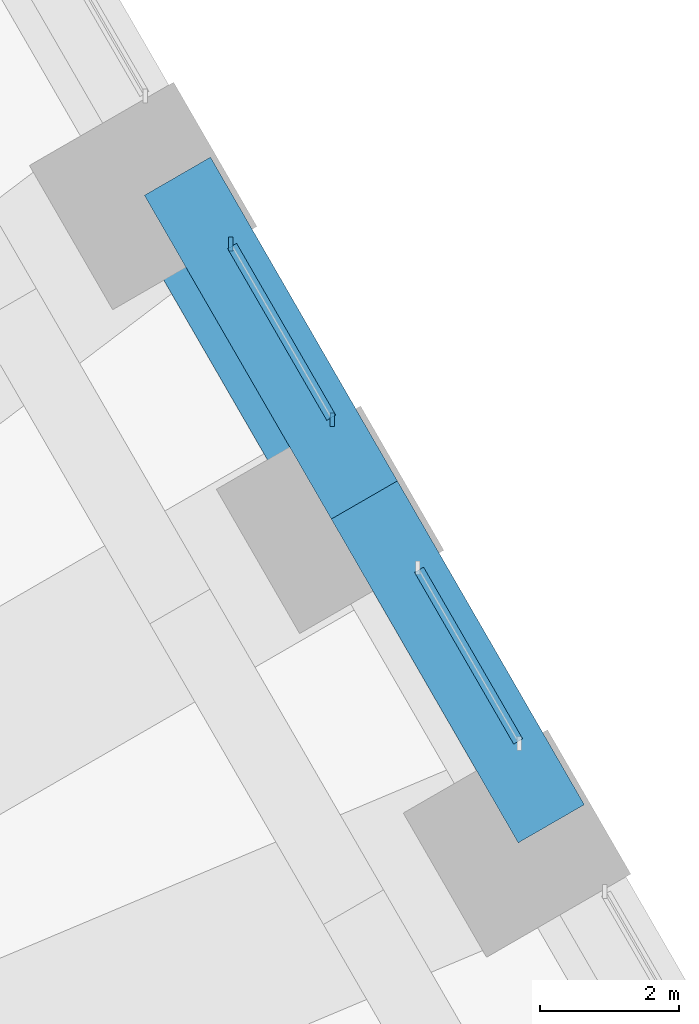
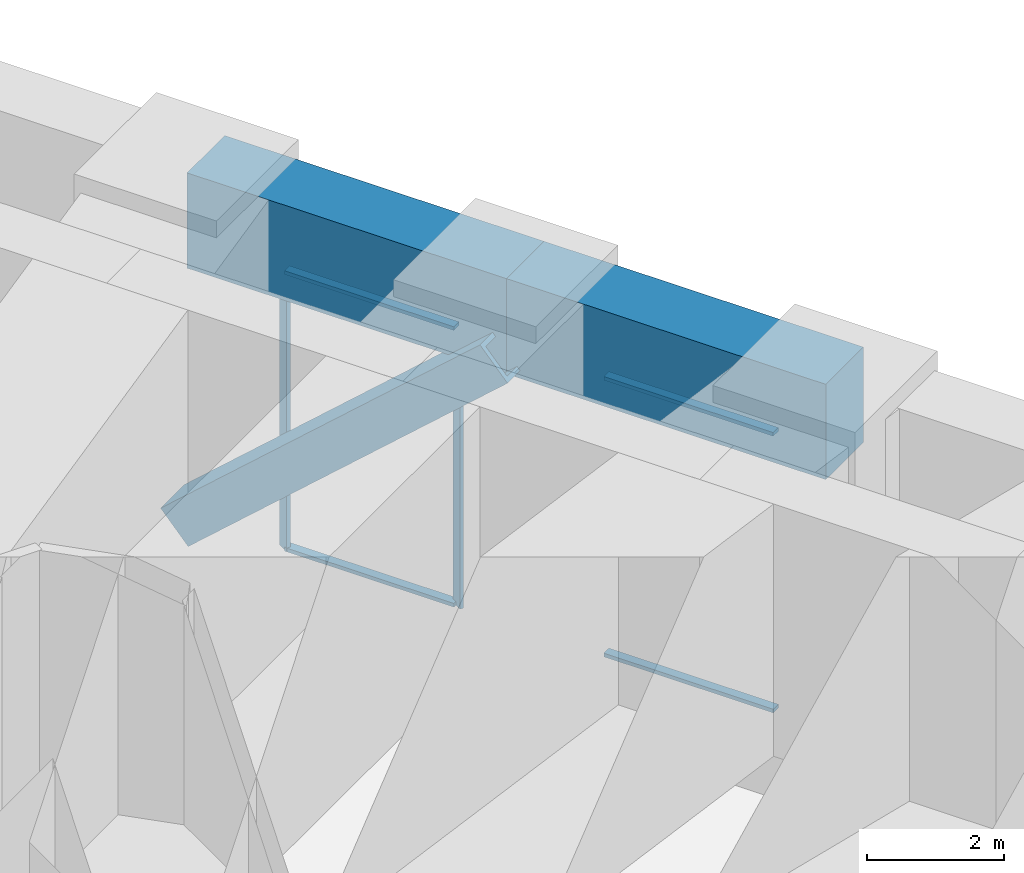
# One storey, part 10 of 17: 7 members, 2 beams, 2 elements without a shape of their own.
"""IFC4 building model written with IfcOpenShell, lengths in metres."""

from ifc_helpers import new_model, si_unit, direction, frame, origin, origin_2d, place, context, subcontext, project, spatial, rectangle, hollow_rectangle, extrude, material, material_profile, profile_set, type_object, element, aggregate, save


model = new_model("IFC4")

# Units and contexts
model_context = context("Model", 3, precision=1e-05, world=origin(), true_north=direction((0.0, 1.0)))
body_context = subcontext(model_context, "Body", "Model", "MODEL_VIEW")
ifc_project = project(units=[si_unit("LENGTHUNIT", "METRE"), si_unit("AREAUNIT", "SQUARE_METRE"), si_unit("VOLUMEUNIT", "CUBIC_METRE"), si_unit("PLANEANGLEUNIT", "RADIAN"), si_unit("MASSUNIT", "GRAM", prefix="KILO")], contexts=[model_context])

# Site, building, storey
site_placement = place(None, origin())
site = spatial("IfcSite", under=ifc_project, at=site_placement, CompositionType="ELEMENT")
building_placement = place(site_placement, origin())
building = spatial("IfcBuilding", under=site, at=building_placement, Name="Tarfa Lantern Tower", CompositionType="ELEMENT")
storey_placement = place(building_placement, frame((0.0, 0.0, 107.5)))
storey = spatial("IfcBuildingStorey", under=building, at=storey_placement, Name="L24", CompositionType="ELEMENT", Elevation=107.5)

# Member
ifc_material_1 = material(Name="Steel S460M", Category="steel")
ifc_material_profile_1 = material_profile(ifc_material_1, hollow_rectangle(XDim=0.699951171875, YDim=0.699951171875, WallThickness=0.080078125, at=origin_2d()), Name="BOX700x700x80")
ifc_profile_set_1 = profile_set([ifc_material_profile_1], Name="Steel S460M")
member_type_1 = type_object("IfcMemberType", Name="BT1 BOX700x700x80", PredefinedType="BRACE", material=ifc_profile_set_1)
member_1_placement = place(storey_placement, frame((26.014404296875, 21.24169921875, 0.60009765625), z_axis=(0.373364035688, -0.646688432601, 0.66512658043), x_axis=(0.866026392449, 0.499998287579, 0.0)))
element("IfcMember", 1, at=member_1_placement, inside=storey, type_object=member_type_1, Name="Belt truss diagonal 4", PredefinedType="BRACE", context=body_context, shape_type="SweptSolid", body=[
    extrude(hollow_rectangle(XDim=0.699951171875, YDim=0.699951171875, WallThickness=0.080078125, at=origin_2d()), origin(), (0.0, 0.0, 1.0), 7.21630859375),
])

# Curtain wall, members
ifc_material_2 = material(Name="Aluminium framed curtain wall", Category="aluminium")
curtain_wall_type = type_object("IfcCurtainWallType", Name="CW6 LOUVRED SCREEN WALL 5000", PredefinedType="USERDEFINED", material=ifc_material_2)
curtain_wall_1_placement = place(storey_placement, origin())
curtain_wall_1 = element("IfcCurtainWall", 2, at=curtain_wall_1_placement, inside=storey, type_object=curtain_wall_type, Name="CW6 NE L24", ObjectType="CURTAIN WALL", PredefinedType="USERDEFINED")
ifc_material_3 = material(Name="Aluminium mullion", Category="aluminium")
ifc_material_profile_2 = material_profile(ifc_material_3, rectangle(XDim=0.06494140625, YDim=0.199951171875, at=origin_2d()), Name="AL MULLION 65x200")
ifc_profile_set_2 = profile_set([ifc_material_profile_2], Name="Aluminium mullion")
member_type_2 = type_object("IfcMemberType", Name="CWM1 MULLION 65x200", PredefinedType="MULLION", material=ifc_profile_set_2)
member_2_placement = place(storey_placement, frame((28.741943359375, 18.017333984375, 0.0), z_axis=(0.0, 0.0, 1.0), x_axis=(1.0, 0.0, 0.0)))
member_2 = element("IfcMember", 3, at=member_2_placement, type_object=member_type_2, Name="CW6 mullion 1", PredefinedType="MULLION", context=body_context, shape_type="SweptSolid", body=[
    extrude(rectangle(XDim=0.06494140625, YDim=0.199951171875, at=origin_2d()), origin(), (0.0, 0.0, 1.0), 5.0),
])
member_3_placement = place(storey_placement, frame((27.2802734375, 20.54931640625, 0.0), z_axis=(0.0, 0.0, 1.0), x_axis=(1.0, 0.0, 0.0)))
member_3 = element("IfcMember", 4, at=member_3_placement, type_object=member_type_2, Name="CW6 mullion 2", PredefinedType="MULLION", context=body_context, shape_type="SweptSolid", body=[
    extrude(rectangle(XDim=0.06494140625, YDim=0.199951171875, at=origin_2d()), origin(), (0.0, 0.0, 1.0), 5.0),
])

curtain_wall_2_placement = place(storey_placement, origin())
curtain_wall_2 = element("IfcCurtainWall", 5, at=curtain_wall_2_placement, inside=storey, type_object=curtain_wall_type, Name="CW6 NE L24", ObjectType="CURTAIN WALL", PredefinedType="USERDEFINED")
ifc_material_4 = material(Name="Aluminium transom", Category="aluminium")
ifc_material_profile_3 = material_profile(ifc_material_4, rectangle(XDim=0.14990234375, YDim=0.06494140625, at=origin_2d()), Name="AL TRANSOM 150x65")
ifc_profile_set_3 = profile_set([ifc_material_profile_3], Name="Aluminium transom")
member_type_3 = type_object("IfcMemberType", Name="CWT1 TRANSOM 150x65", PredefinedType="USERDEFINED", material=ifc_profile_set_3)
member_4_placement = place(storey_placement, frame((31.420166015625, 13.37890625, 0.032470703125), z_axis=(-0.500042804318, 0.866000689289, 0.0), x_axis=(-0.866000689289, -0.500042804318, 0.0)))
member_4 = element("IfcMember", 6, at=member_4_placement, type_object=member_type_3, Name="CW6 transom 1.1", ObjectType="TRANSOM", PredefinedType="USERDEFINED", context=body_context, shape_type="SweptSolid", body=[
    extrude(rectangle(XDim=0.14990234375, YDim=0.06494140625, at=origin_2d()), origin(), (0.0, 0.0, 1.0), 2.858642578125),
])
member_5_placement = place(storey_placement, frame((31.420166015625, 13.37890625, 4.967529296875), z_axis=(-0.500042804318, 0.866000689289, 0.0), x_axis=(-0.866000689289, -0.500042804318, 0.0)))
member_5 = element("IfcMember", 7, at=member_5_placement, type_object=member_type_3, Name="CW6 transom 1.2", ObjectType="TRANSOM", PredefinedType="USERDEFINED", context=body_context, shape_type="SweptSolid", body=[
    extrude(rectangle(XDim=0.14990234375, YDim=0.06494140625, at=origin_2d()), origin(), (0.0, 0.0, 1.0), 2.858642578125),
])
aggregate(curtain_wall_2, [member_4, member_5])

# Member
member_6_placement = place(storey_placement, frame((28.725830078125, 18.04541015625, 0.032470703125), z_axis=(-0.500005823294, 0.866022041678, 0.0), x_axis=(-0.866022041678, -0.500005823294, 0.0)))
member_6 = element("IfcMember", 8, at=member_6_placement, type_object=member_type_3, Name="CW6 transom 1.1", ObjectType="TRANSOM", PredefinedType="USERDEFINED", context=body_context, shape_type="SweptSolid", body=[
    extrude(rectangle(XDim=0.14990234375, YDim=0.06494140625, at=origin_2d()), origin(), (0.0, 0.0, 1.0), 2.85888671875),
])

member_7_placement = place(storey_placement, frame((28.725830078125, 18.04541015625, 4.967529296875), z_axis=(-0.500005823294, 0.866022041678, 0.0), x_axis=(-0.866022041678, -0.500005823294, 0.0)))
member_7 = element("IfcMember", 9, at=member_7_placement, type_object=member_type_3, Name="CW6 transom 1.2", ObjectType="TRANSOM", PredefinedType="USERDEFINED", context=body_context, shape_type="SweptSolid", body=[
    extrude(rectangle(XDim=0.14990234375, YDim=0.06494140625, at=origin_2d()), origin(), (0.0, 0.0, 1.0), 2.85888671875),
])

aggregate(curtain_wall_1, [member_2, member_3, member_6, member_7])

# Beams
ifc_material_5 = material(Name="Concrete C80/95", Category="concrete")
ifc_material_profile_4 = material_profile(ifc_material_5, rectangle(XDim=1.10009765625, YDim=1.699951171875, at=origin_2d()), Name="RC 1100x1700")
ifc_profile_set_4 = profile_set([ifc_material_profile_4], Name="Concrete C80/95")
beam_type = type_object("IfcBeamType", Name="RB1 RC 1100x1700", PredefinedType="BEAM", material=ifc_profile_set_4)
beam_1_placement = place(storey_placement, frame((31.896728515625, 12.193359375, 5.85009765625), z_axis=(-0.499998287579, 0.866026392449, 0.0), x_axis=(-0.866026392449, -0.499998287579, 0.0)))
element("IfcBeam", 10, at=beam_1_placement, inside=storey, type_object=beam_type, Name="Edge beam NE2", PredefinedType="BEAM", context=body_context, shape_type="SweptSolid", body=[
    extrude(rectangle(XDim=1.10009765625, YDim=1.699951171875, at=origin_2d()), origin(), (0.0, 0.0, 1.0), 5.388671875),
])
beam_2_placement = place(storey_placement, frame((29.202392578125, 16.860107421875, 5.85009765625), z_axis=(-0.500017906299, 0.866015065331, 0.0), x_axis=(-0.866015065331, -0.500017906299, 0.0)))
element("IfcBeam", 11, at=beam_2_placement, inside=storey, type_object=beam_type, Name="Edge beam NE3", PredefinedType="BEAM", context=body_context, shape_type="SweptSolid", body=[
    extrude(rectangle(XDim=1.10009765625, YDim=1.699951171875, at=origin_2d()), origin(), (0.0, 0.0, 1.0), 5.388427734375),
])

save(model, "model.ifc")
